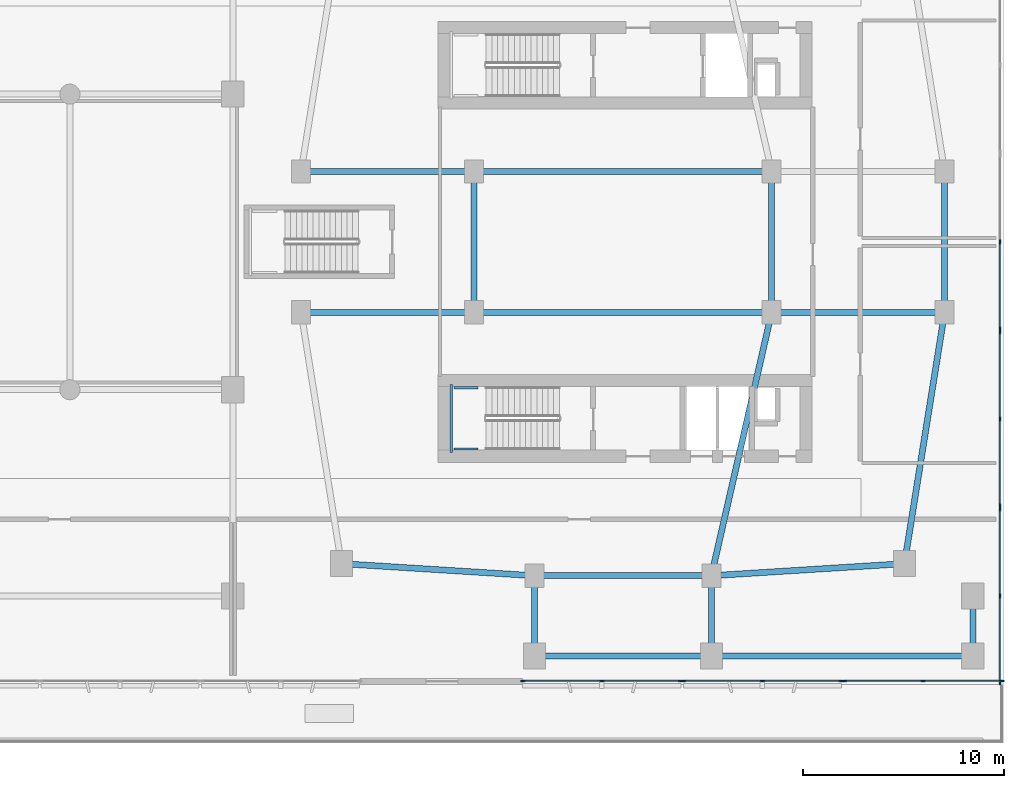
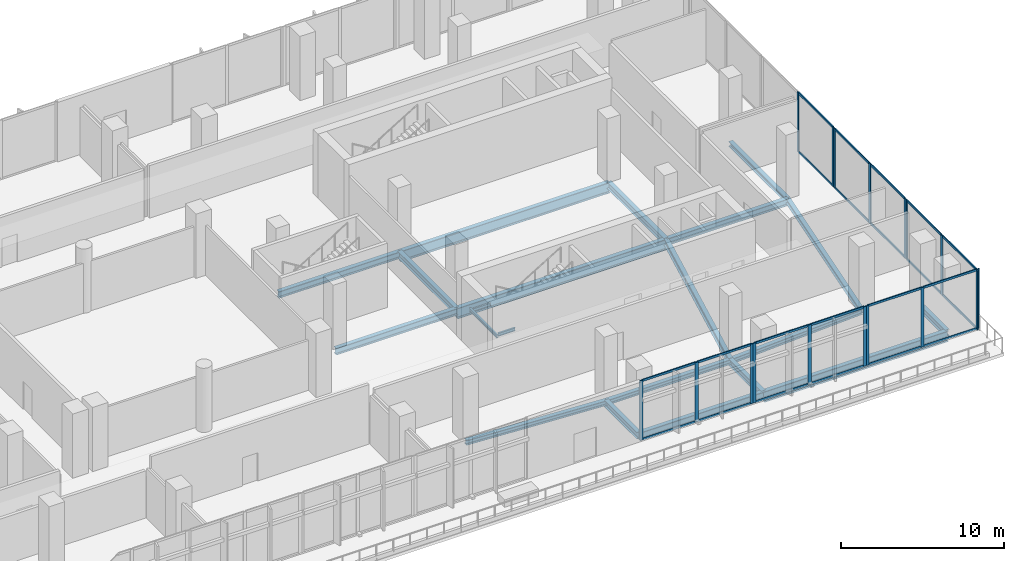
# One storey, part 7 of 30: 39 members, 21 beams, 6 elements without a shape of their own.
"""IFC4 building model written with IfcOpenShell, lengths in metres."""

from ifc_helpers import new_model, si_unit, derived_unit, direction, frame, origin, origin_2d, place, context, subcontext, project, spatial, rectangle, i_section, extrude, material, layer, layer_set, material_profile, profile_set, type_object, element, aggregate, save


model = new_model("IFC4")

# Units and contexts
model_context = context("Model", 3, precision=1e-05, world=origin(), true_north=direction((0.0, 1.0)))
body_context = subcontext(model_context, "Body", "Model", "MODEL_VIEW")
ifc_project = project(units=[si_unit("LENGTHUNIT", "METRE"), si_unit("AREAUNIT", "SQUARE_METRE"), si_unit("VOLUMEUNIT", "CUBIC_METRE"), si_unit("PLANEANGLEUNIT", "RADIAN"), si_unit("MASSUNIT", "GRAM", prefix="KILO"), derived_unit("THERMALTRANSMITTANCEUNIT", [(si_unit("POWERUNIT", "WATT"), 1), (si_unit("LENGTHUNIT", "METRE"), -2), (si_unit("THERMODYNAMICTEMPERATUREUNIT", "KELVIN"), -1)])], contexts=[model_context])

# Site, building, storey
site_placement = place(None, origin())
site = spatial("IfcSite", under=ifc_project, at=site_placement, CompositionType="ELEMENT")
building_placement = place(site_placement, origin())
building = spatial("IfcBuilding", under=site, at=building_placement, Name="Kivonza Crest Hotel", CompositionType="ELEMENT")
storey_placement = place(building_placement, frame((0.0, 0.0, 10.199951171875)))
storey = spatial("IfcBuildingStorey", under=building, at=storey_placement, Name="L02", CompositionType="ELEMENT", Elevation=10.199951171875)

# Beams
ifc_material_1 = material(Name="Steel S355", Category="steel")
ifc_material_profile_1 = material_profile(ifc_material_1, i_section(OverallWidth=0.300048828125, OverallDepth=0.360107421875, WebThickness=0.012451171875, FlangeThickness=0.0224609375, FilletRadius=0.027099609375, at=origin_2d()), Name="HEB 360")
ifc_profile_set_1 = profile_set([ifc_material_profile_1], Name="Steel S355")
beam_type_1 = type_object("IfcBeamType", Name="BM-HEB360", PredefinedType="SPANDREL", material=ifc_profile_set_1)
beam_1_placement = place(storey_placement, frame((72.60009765625, 8.39990234375, -0.530029296875), z_axis=(1.0, 0.0, 0.0), x_axis=(0.0, 1.0, 0.0)))
element("IfcBeam", 1, at=beam_1_placement, inside=storey, type_object=beam_type_1, Name="Companion Tower T2 L02 perimeter spandrel S1-S2", PredefinedType="SPANDREL", context=body_context, shape_type="SweptSolid", body=[
    extrude(i_section(OverallWidth=0.300048828125, OverallDepth=0.360107421875, WebThickness=0.012451171875, FlangeThickness=0.0224609375, FilletRadius=0.027099609375, at=origin_2d()), origin(), (0.0, 0.0, 1.0), 8.7998046875),
])
beam_2_placement = place(storey_placement, frame((81.39990234375, 8.39990234375, -0.530029296875), z_axis=(0.998051985873, 0.062387767186, 0.0), x_axis=(-0.062387767186, 0.998051985873, 0.0)))
element("IfcBeam", 2, at=beam_2_placement, inside=storey, type_object=beam_type_1, Name="Companion Tower T2 L02 perimeter spandrel S2-SE", PredefinedType="SPANDREL", context=body_context, shape_type="SweptSolid", body=[
    extrude(i_section(OverallWidth=0.300048828125, OverallDepth=0.360107421875, WebThickness=0.012451171875, FlangeThickness=0.0224609375, FilletRadius=0.027099609375, at=origin_2d()), origin(), (0.0, 0.0, 1.0), 9.618896484375),
])
beam_3_placement = place(storey_placement, frame((91.0, 9.0, -0.530029296875), z_axis=(0.157990501107, 0.987440631917, 0.0), x_axis=(-0.987440631917, 0.157990501107, 0.0)))
element("IfcBeam", 3, at=beam_3_placement, inside=storey, type_object=beam_type_1, Name="Companion Tower T2 L02 perimeter spandrel SE-E1", PredefinedType="SPANDREL", context=body_context, shape_type="SweptSolid", body=[
    extrude(i_section(OverallWidth=0.300048828125, OverallDepth=0.360107421875, WebThickness=0.012451171875, FlangeThickness=0.0224609375, FilletRadius=0.027099609375, at=origin_2d()), origin(), (0.0, 0.0, 1.0), 12.658935546875),
])
beam_4_placement = place(storey_placement, frame((93.0, 21.5, -0.530029296875), z_axis=(0.0, 1.0, 0.0), x_axis=(-1.0, 0.0, 0.0)))
element("IfcBeam", 4, at=beam_4_placement, inside=storey, type_object=beam_type_1, Name="Companion Tower T2 L02 perimeter spandrel E1-E2", PredefinedType="SPANDREL", context=body_context, shape_type="SweptSolid", body=[
    extrude(i_section(OverallWidth=0.300048828125, OverallDepth=0.360107421875, WebThickness=0.012451171875, FlangeThickness=0.0224609375, FilletRadius=0.027099609375, at=origin_2d()), origin(), (0.0, 0.0, 1.0), 7.0),
])
beam_5_placement = place(storey_placement, frame((63.0, 9.0, -0.530029296875), z_axis=(0.998051985873, -0.062387767186, 0.0), x_axis=(0.062387767186, 0.998051985873, 0.0)))
element("IfcBeam", 5, at=beam_5_placement, inside=storey, type_object=beam_type_1, Name="Companion Tower T2 L02 perimeter spandrel SW-S1", PredefinedType="SPANDREL", context=body_context, shape_type="SweptSolid", body=[
    extrude(i_section(OverallWidth=0.300048828125, OverallDepth=0.360107421875, WebThickness=0.012451171875, FlangeThickness=0.0224609375, FilletRadius=0.027099609375, at=origin_2d()), origin(), (0.0, 0.0, 1.0), 9.618896484375),
])
ifc_material_profile_2 = material_profile(ifc_material_1, i_section(OverallWidth=0.300048828125, OverallDepth=0.5, WebThickness=0.014404296875, FlangeThickness=0.028076171875, FilletRadius=0.027099609375, at=origin_2d()), Name="HEB 500")
ifc_profile_set_2 = profile_set([ifc_material_profile_2], Name="Steel S355")
beam_type_2 = type_object("IfcBeamType", Name="BM-HEB500", PredefinedType="BEAM", material=ifc_profile_set_2)
for number, where, z_axis, x_axis, name in (
    (6, (61.0, 21.5, -0.599853515625), (1.0, 0.0, 0.0), (0.0, 1.0, 0.0), "Companion Tower T2 L02 girder W1-WL1"),
    (7, (61.0, 28.5, -0.599853515625), (1.0, 0.0, 0.0), (0.0, 1.0, 0.0), "Companion Tower T2 L02 girder W2-WL2"),
):
    element("IfcBeam", number, at=place(storey_placement, frame(where, z_axis=z_axis, x_axis=x_axis)), inside=storey, type_object=beam_type_2, Name=name, PredefinedType="BEAM", context=body_context, shape_type="SweptSolid", body=[
        extrude(i_section(OverallWidth=0.300048828125, OverallDepth=0.5, WebThickness=0.014404296875, FlangeThickness=0.028076171875, FilletRadius=0.027099609375, at=origin_2d()), origin(), (0.0, 0.0, 1.0), 8.60009765625),
    ])
beam_6_placement = place(storey_placement, frame((69.60009765625, 21.5, -0.599853515625), z_axis=(0.0, 1.0, 0.0), x_axis=(-1.0, 0.0, 0.0)))
element("IfcBeam", 8, at=beam_6_placement, inside=storey, type_object=beam_type_2, Name="Companion Tower T2 L02 girder WL1-WL2", PredefinedType="BEAM", context=body_context, shape_type="SweptSolid", body=[
    extrude(i_section(OverallWidth=0.300048828125, OverallDepth=0.5, WebThickness=0.014404296875, FlangeThickness=0.028076171875, FilletRadius=0.027099609375, at=origin_2d()), origin(), (0.0, 0.0, 1.0), 7.0),
])
beam_7_placement = place(storey_placement, frame((84.39990234375, 21.5, -0.599853515625), z_axis=(1.0, 0.0, 0.0), x_axis=(0.0, 1.0, 0.0)))
element("IfcBeam", 9, at=beam_7_placement, inside=storey, type_object=beam_type_2, Name="Companion Tower T2 L02 girder WR1-E1", PredefinedType="BEAM", context=body_context, shape_type="SweptSolid", body=[
    extrude(i_section(OverallWidth=0.300048828125, OverallDepth=0.5, WebThickness=0.014404296875, FlangeThickness=0.028076171875, FilletRadius=0.027099609375, at=origin_2d()), origin(), (0.0, 0.0, 1.0), 8.60009765625),
])
beam_8_placement = place(storey_placement, frame((84.39990234375, 21.5, -0.599853515625), z_axis=(0.0, 1.0, 0.0), x_axis=(-1.0, 0.0, 0.0)))
element("IfcBeam", 10, at=beam_8_placement, inside=storey, type_object=beam_type_2, Name="Companion Tower T2 L02 girder WR1-WR2", PredefinedType="BEAM", context=body_context, shape_type="SweptSolid", body=[
    extrude(i_section(OverallWidth=0.300048828125, OverallDepth=0.5, WebThickness=0.014404296875, FlangeThickness=0.028076171875, FilletRadius=0.027099609375, at=origin_2d()), origin(), (0.0, 0.0, 1.0), 7.0),
])
beam_9_placement = place(storey_placement, frame((84.39990234375, 21.5, -0.599853515625), z_axis=(-0.223227287589, -0.974766422317, 0.0), x_axis=(0.974766422317, -0.223227287589, 0.0)))
element("IfcBeam", 11, at=beam_9_placement, inside=storey, type_object=beam_type_2, Name="Companion Tower T2 L02 girder WR1-S2", PredefinedType="BEAM", context=body_context, shape_type="SweptSolid", body=[
    extrude(i_section(OverallWidth=0.300048828125, OverallDepth=0.5, WebThickness=0.014404296875, FlangeThickness=0.028076171875, FilletRadius=0.027099609375, at=origin_2d()), origin(), (0.0, 0.0, 1.0), 13.439208984375),
])
for number, where, z_axis, x_axis, name in (
    (12, (72.60009765625, 4.39990234375, -0.599853515625), (0.0, 1.0, 0.0), (-1.0, 0.0, 0.0), "L02 podium girder Y 60"),
    (13, (81.39990234375, 4.39990234375, -0.599853515625), (0.0, 1.0, 0.0), (-1.0, 0.0, 0.0), "L02 podium girder Y 62"),
):
    element("IfcBeam", number, at=place(storey_placement, frame(where, z_axis=z_axis, x_axis=x_axis)), inside=storey, type_object=beam_type_2, Name=name, PredefinedType="BEAM", context=body_context, shape_type="SweptSolid", body=[
        extrude(i_section(OverallWidth=0.300048828125, OverallDepth=0.5, WebThickness=0.014404296875, FlangeThickness=0.028076171875, FilletRadius=0.027099609375, at=origin_2d()), origin(), (0.0, 0.0, 1.0), 4.0),
    ])
beam_10_placement = place(storey_placement, frame((94.39990234375, 4.39990234375, -0.599853515625), z_axis=(0.0, 1.0, 0.0), x_axis=(-1.0, 0.0, 0.0)))
element("IfcBeam", 14, at=beam_10_placement, inside=storey, type_object=beam_type_2, Name="L02 podium girder Y 66", PredefinedType="BEAM", context=body_context, shape_type="SweptSolid", body=[
    extrude(i_section(OverallWidth=0.300048828125, OverallDepth=0.5, WebThickness=0.014404296875, FlangeThickness=0.028076171875, FilletRadius=0.027099609375, at=origin_2d()), origin(), (0.0, 0.0, 1.0), 3.0),
])
ifc_material_profile_3 = material_profile(ifc_material_1, i_section(OverallWidth=0.300048828125, OverallDepth=0.60009765625, WebThickness=0.015380859375, FlangeThickness=0.030029296875, FilletRadius=0.027099609375, at=origin_2d()), Name="HEB 600")
ifc_profile_set_3 = profile_set([ifc_material_profile_3], Name="Steel S355")
beam_type_3 = type_object("IfcBeamType", Name="BM-HEB600", PredefinedType="BEAM", material=ifc_profile_set_3)
beam_11_placement = place(storey_placement, frame((72.60009765625, 4.39990234375, -0.64990234375), z_axis=(1.0, 0.0, 0.0), x_axis=(0.0, 1.0, 0.0)))
element("IfcBeam", 15, at=beam_11_placement, inside=storey, type_object=beam_type_3, Name="L02 podium girder X 3", PredefinedType="BEAM", context=body_context, shape_type="SweptSolid", body=[
    extrude(i_section(OverallWidth=0.300048828125, OverallDepth=0.60009765625, WebThickness=0.015380859375, FlangeThickness=0.030029296875, FilletRadius=0.027099609375, at=origin_2d()), origin(), (0.0, 0.0, 1.0), 8.7998046875),
])
ifc_material_profile_4 = material_profile(ifc_material_1, i_section(OverallWidth=0.300048828125, OverallDepth=0.800048828125, WebThickness=0.017578125, FlangeThickness=0.032958984375, FilletRadius=0.030029296875, at=origin_2d()), Name="HEB 800")
ifc_profile_set_4 = profile_set([ifc_material_profile_4], Name="Steel S355")
beam_type_4 = type_object("IfcBeamType", Name="BM-HEB800", PredefinedType="BEAM", material=ifc_profile_set_4)
beam_12_placement = place(storey_placement, frame((81.39990234375, 4.39990234375, -0.75), z_axis=(1.0, 0.0, 0.0), x_axis=(0.0, 1.0, 0.0)))
element("IfcBeam", 16, at=beam_12_placement, inside=storey, type_object=beam_type_4, Name="L02 podium girder X 4", PredefinedType="BEAM", context=body_context, shape_type="SweptSolid", body=[
    extrude(i_section(OverallWidth=0.300048828125, OverallDepth=0.800048828125, WebThickness=0.017578125, FlangeThickness=0.032958984375, FilletRadius=0.030029296875, at=origin_2d()), origin(), (0.0, 0.0, 1.0), 13.0),
])
for number, where, z_axis, x_axis, name in (
    (17, (69.60009765625, 21.5, -0.75), (1.0, 0.0, 0.0), (0.0, 1.0, 0.0), "L02 podium girder X 16"),
    (18, (69.60009765625, 28.5, -0.75), (1.0, 0.0, 0.0), (0.0, 1.0, 0.0), "L02 podium girder X 21"),
):
    element("IfcBeam", number, at=place(storey_placement, frame(where, z_axis=z_axis, x_axis=x_axis)), inside=storey, type_object=beam_type_4, Name=name, PredefinedType="BEAM", context=body_context, shape_type="SweptSolid", body=[
        extrude(i_section(OverallWidth=0.300048828125, OverallDepth=0.800048828125, WebThickness=0.017578125, FlangeThickness=0.032958984375, FilletRadius=0.030029296875, at=origin_2d()), origin(), (0.0, 0.0, 1.0), 14.7998046875),
    ])
ifc_material_profile_5 = material_profile(ifc_material_1, i_section(OverallWidth=0.1201171875, OverallDepth=0.239990234375, WebThickness=0.006103515625, FlangeThickness=0.009765625, FilletRadius=0.014892578125, at=origin_2d()), Name="IPE 240")
ifc_profile_set_5 = profile_set([ifc_material_profile_5], Name="Steel S355")
beam_type_5 = type_object("IfcBeamType", Name="BM-LLDG-240", PredefinedType="BEAM", material=ifc_profile_set_5)
beam_13_placement = place(storey_placement, frame((68.4599609375, 14.5400390625, 2.080078125), z_axis=(0.0, 1.0, 0.0), x_axis=(-1.0, 0.0, 0.0)))
element("IfcBeam", 19, at=beam_13_placement, inside=storey, type_object=beam_type_5, Name="Stair ST-T2-S L02 West landing corbel", PredefinedType="BEAM", context=body_context, shape_type="SweptSolid", body=[
    extrude(i_section(OverallWidth=0.1201171875, OverallDepth=0.239990234375, WebThickness=0.006103515625, FlangeThickness=0.009765625, FilletRadius=0.014892578125, at=origin_2d()), origin(), (0.0, 0.0, 1.0), 3.35986328125),
])
for number, where, z_axis, x_axis, name in (
    (20, (68.590087890625, 14.699951171875, 2.080078125), (1.0, 0.0, 0.0), (0.0, 1.0, 0.0), "Stair ST-T2-S L02 South landing corbel"),
    (21, (68.590087890625, 17.739990234375, 2.080078125), (1.0, 0.0, 0.0), (0.0, 1.0, 0.0), "Stair ST-T2-S L02 North landing corbel"),
):
    element("IfcBeam", number, at=place(storey_placement, frame(where, z_axis=z_axis, x_axis=x_axis)), inside=storey, type_object=beam_type_5, Name=name, PredefinedType="BEAM", context=body_context, shape_type="SweptSolid", body=[
        extrude(i_section(OverallWidth=0.1201171875, OverallDepth=0.239990234375, WebThickness=0.006103515625, FlangeThickness=0.009765625, FilletRadius=0.014892578125, at=origin_2d()), origin(), (0.0, 0.0, 1.0), 1.2099609375),
    ])

# Curtain wall, members
ifc_material_2 = material(Name="Anodised bronze aluminium and low-E double glazing", Category="aluminium")
ifc_layer = layer(ifc_material_2, 0.219970703125)
ifc_layer_set = layer_set([ifc_layer], Name="Anodised bronze aluminium and low-E double glazing")
curtain_wall_type = type_object("IfcCurtainWallType", Name="CW-SYS-1", PredefinedType="NOTDEFINED", material=ifc_layer_set)
curtain_wall_1_placement = place(storey_placement, origin())
curtain_wall_1 = element("IfcCurtainWall", 22, at=curtain_wall_1_placement, inside=storey, type_object=curtain_wall_type, Name="L02 unitised curtain wall CW-POD-L02-10", PredefinedType="NOTDEFINED")
ifc_material_3 = material(Name="Anodised bronze aluminium", Category="aluminium")
ifc_material_profile_6 = material_profile(ifc_material_3, rectangle(XDim=0.074951171875, YDim=0.219970703125, at=origin_2d()), Name="CW-M 75x220")
ifc_profile_set_6 = profile_set([ifc_material_profile_6], Name="Anodised bronze aluminium")
member_type_1 = type_object("IfcMemberType", Name="CW-MUL-75x220", PredefinedType="MULLION", material=ifc_profile_set_6)
member_1_placement = place(storey_placement, frame((72.03759765625, 3.159912109375, 0.0), z_axis=(0.0, 0.0, 1.0), x_axis=(0.0, 1.0, 0.0)))
member_1 = element("IfcMember", 23, at=member_1_placement, type_object=member_type_1, Name="CW-1 mullion 1", PredefinedType="MULLION", context=body_context, shape_type="SweptSolid", body=[
    extrude(rectangle(XDim=0.074951171875, YDim=0.219970703125, at=origin_2d()), origin(), (0.0, 0.0, 1.0), 4.449951171875),
])
member_2_placement = place(storey_placement, frame((75.95361328125, 3.159912109375, 0.0), z_axis=(0.0, 0.0, 1.0), x_axis=(0.0, 1.0, 0.0)))
member_2 = element("IfcMember", 24, at=member_2_placement, type_object=member_type_1, Name="CW-1 mullion 2", PredefinedType="MULLION", context=body_context, shape_type="SweptSolid", body=[
    extrude(rectangle(XDim=0.074951171875, YDim=0.219970703125, at=origin_2d()), origin(), (0.0, 0.0, 1.0), 4.449951171875),
])
member_3_placement = place(storey_placement, frame((79.869384765625, 3.159912109375, 0.0), z_axis=(0.0, 0.0, 1.0), x_axis=(0.0, 1.0, 0.0)))
member_3 = element("IfcMember", 25, at=member_3_placement, type_object=member_type_1, Name="CW-1 mullion 3", PredefinedType="MULLION", context=body_context, shape_type="SweptSolid", body=[
    extrude(rectangle(XDim=0.074951171875, YDim=0.219970703125, at=origin_2d()), origin(), (0.0, 0.0, 1.0), 4.449951171875),
])

curtain_wall_2_placement = place(storey_placement, origin())
curtain_wall_2 = element("IfcCurtainWall", 26, at=curtain_wall_2_placement, inside=storey, type_object=curtain_wall_type, Name="L02 unitised curtain wall CW-POD-L02-11", PredefinedType="NOTDEFINED")
member_4_placement = place(storey_placement, frame((80.0244140625, 3.159912109375, 0.0), z_axis=(0.0, 0.0, 1.0), x_axis=(0.0, 1.0, 0.0)))
member_4 = element("IfcMember", 27, at=member_4_placement, type_object=member_type_1, Name="CW-1 mullion 1", PredefinedType="MULLION", context=body_context, shape_type="SweptSolid", body=[
    extrude(rectangle(XDim=0.074951171875, YDim=0.219970703125, at=origin_2d()), origin(), (0.0, 0.0, 1.0), 4.449951171875),
])
member_5_placement = place(storey_placement, frame((83.93994140625, 3.159912109375, 0.0), z_axis=(0.0, 0.0, 1.0), x_axis=(0.0, 1.0, 0.0)))
member_5 = element("IfcMember", 28, at=member_5_placement, type_object=member_type_1, Name="CW-1 mullion 2", PredefinedType="MULLION", context=body_context, shape_type="SweptSolid", body=[
    extrude(rectangle(XDim=0.074951171875, YDim=0.219970703125, at=origin_2d()), origin(), (0.0, 0.0, 1.0), 4.449951171875),
])
member_6_placement = place(storey_placement, frame((87.85546875, 3.159912109375, 0.0), z_axis=(0.0, 0.0, 1.0), x_axis=(0.0, 1.0, 0.0)))
member_6 = element("IfcMember", 29, at=member_6_placement, type_object=member_type_1, Name="CW-1 mullion 3", PredefinedType="MULLION", context=body_context, shape_type="SweptSolid", body=[
    extrude(rectangle(XDim=0.074951171875, YDim=0.219970703125, at=origin_2d()), origin(), (0.0, 0.0, 1.0), 4.449951171875),
])

curtain_wall_3_placement = place(storey_placement, origin())
curtain_wall_3 = element("IfcCurtainWall", 30, at=curtain_wall_3_placement, inside=storey, type_object=curtain_wall_type, Name="L02 unitised curtain wall CW-POD-L02-12", PredefinedType="NOTDEFINED")
member_7_placement = place(storey_placement, frame((88.010498046875, 3.159912109375, 0.0), z_axis=(0.0, 0.0, 1.0), x_axis=(0.0, 1.0, 0.0)))
member_7 = element("IfcMember", 31, at=member_7_placement, type_object=member_type_1, Name="CW-1 mullion 1", PredefinedType="MULLION", context=body_context, shape_type="SweptSolid", body=[
    extrude(rectangle(XDim=0.074951171875, YDim=0.219970703125, at=origin_2d()), origin(), (0.0, 0.0, 1.0), 4.449951171875),
])
member_8_placement = place(storey_placement, frame((91.926513671875, 3.159912109375, 0.0), z_axis=(0.0, 0.0, 1.0), x_axis=(0.0, 1.0, 0.0)))
member_8 = element("IfcMember", 32, at=member_8_placement, type_object=member_type_1, Name="CW-1 mullion 2", PredefinedType="MULLION", context=body_context, shape_type="SweptSolid", body=[
    extrude(rectangle(XDim=0.074951171875, YDim=0.219970703125, at=origin_2d()), origin(), (0.0, 0.0, 1.0), 4.449951171875),
])
member_9_placement = place(storey_placement, frame((95.842529296875, 3.159912109375, 0.0), z_axis=(0.0, 0.0, 1.0), x_axis=(0.0, 1.0, 0.0)))
member_9 = element("IfcMember", 33, at=member_9_placement, type_object=member_type_1, Name="CW-1 mullion 3", PredefinedType="MULLION", context=body_context, shape_type="SweptSolid", body=[
    extrude(rectangle(XDim=0.074951171875, YDim=0.219970703125, at=origin_2d()), origin(), (0.0, 0.0, 1.0), 4.449951171875),
])

curtain_wall_4_placement = place(storey_placement, origin())
curtain_wall_4 = element("IfcCurtainWall", 34, at=curtain_wall_4_placement, inside=storey, type_object=curtain_wall_type, Name="L02 unitised curtain wall CW-POD-L02-13", PredefinedType="NOTDEFINED")
member_10_placement = place(storey_placement, frame((95.760009765625, 3.077392578125, 0.0), z_axis=(0.0, 0.0, 1.0), x_axis=(-1.0, 0.0, 0.0)))
member_10 = element("IfcMember", 35, at=member_10_placement, type_object=member_type_1, Name="CW-1 mullion 1", PredefinedType="MULLION", context=body_context, shape_type="SweptSolid", body=[
    extrude(rectangle(XDim=0.074951171875, YDim=0.219970703125, at=origin_2d()), origin(), (0.0, 0.0, 1.0), 4.449951171875),
])
member_11_placement = place(storey_placement, frame((95.760009765625, 7.39990234375, 0.0), z_axis=(0.0, 0.0, 1.0), x_axis=(-1.0, 0.0, 0.0)))
member_11 = element("IfcMember", 36, at=member_11_placement, type_object=member_type_1, Name="CW-1 mullion 2", PredefinedType="MULLION", context=body_context, shape_type="SweptSolid", body=[
    extrude(rectangle(XDim=0.074951171875, YDim=0.219970703125, at=origin_2d()), origin(), (0.0, 0.0, 1.0), 4.449951171875),
])
member_12_placement = place(storey_placement, frame((95.760009765625, 11.722412109375, 0.0), z_axis=(0.0, 0.0, 1.0), x_axis=(-1.0, 0.0, 0.0)))
member_12 = element("IfcMember", 37, at=member_12_placement, type_object=member_type_1, Name="CW-1 mullion 3", PredefinedType="MULLION", context=body_context, shape_type="SweptSolid", body=[
    extrude(rectangle(XDim=0.074951171875, YDim=0.219970703125, at=origin_2d()), origin(), (0.0, 0.0, 1.0), 4.449951171875),
])

curtain_wall_5_placement = place(storey_placement, origin())
curtain_wall_5 = element("IfcCurtainWall", 38, at=curtain_wall_5_placement, inside=storey, type_object=curtain_wall_type, Name="L02 unitised curtain wall CW-POD-L02-14", PredefinedType="NOTDEFINED")
member_13_placement = place(storey_placement, frame((95.760009765625, 11.87744140625, 0.0), z_axis=(0.0, 0.0, 1.0), x_axis=(-1.0, 0.0, 0.0)))
member_13 = element("IfcMember", 39, at=member_13_placement, type_object=member_type_1, Name="CW-1 mullion 1", PredefinedType="MULLION", context=body_context, shape_type="SweptSolid", body=[
    extrude(rectangle(XDim=0.074951171875, YDim=0.219970703125, at=origin_2d()), origin(), (0.0, 0.0, 1.0), 4.449951171875),
])
member_14_placement = place(storey_placement, frame((95.760009765625, 16.199951171875, 0.0), z_axis=(0.0, 0.0, 1.0), x_axis=(-1.0, 0.0, 0.0)))
member_14 = element("IfcMember", 40, at=member_14_placement, type_object=member_type_1, Name="CW-1 mullion 2", PredefinedType="MULLION", context=body_context, shape_type="SweptSolid", body=[
    extrude(rectangle(XDim=0.074951171875, YDim=0.219970703125, at=origin_2d()), origin(), (0.0, 0.0, 1.0), 4.449951171875),
])
member_15_placement = place(storey_placement, frame((95.760009765625, 20.5224609375, 0.0), z_axis=(0.0, 0.0, 1.0), x_axis=(-1.0, 0.0, 0.0)))
member_15 = element("IfcMember", 41, at=member_15_placement, type_object=member_type_1, Name="CW-1 mullion 3", PredefinedType="MULLION", context=body_context, shape_type="SweptSolid", body=[
    extrude(rectangle(XDim=0.074951171875, YDim=0.219970703125, at=origin_2d()), origin(), (0.0, 0.0, 1.0), 4.449951171875),
])

curtain_wall_6_placement = place(storey_placement, origin())
curtain_wall_6 = element("IfcCurtainWall", 42, at=curtain_wall_6_placement, inside=storey, type_object=curtain_wall_type, Name="L02 unitised curtain wall CW-POD-L02-15", PredefinedType="NOTDEFINED")
member_16_placement = place(storey_placement, frame((95.760009765625, 20.677490234375, 0.0), z_axis=(0.0, 0.0, 1.0), x_axis=(-1.0, 0.0, 0.0)))
member_16 = element("IfcMember", 43, at=member_16_placement, type_object=member_type_1, Name="CW-1 mullion 1", PredefinedType="MULLION", context=body_context, shape_type="SweptSolid", body=[
    extrude(rectangle(XDim=0.074951171875, YDim=0.219970703125, at=origin_2d()), origin(), (0.0, 0.0, 1.0), 4.449951171875),
])
member_17_placement = place(storey_placement, frame((95.760009765625, 25.0, 0.0), z_axis=(0.0, 0.0, 1.0), x_axis=(-1.0, 0.0, 0.0)))
member_17 = element("IfcMember", 44, at=member_17_placement, type_object=member_type_1, Name="CW-1 mullion 2", PredefinedType="MULLION", context=body_context, shape_type="SweptSolid", body=[
    extrude(rectangle(XDim=0.074951171875, YDim=0.219970703125, at=origin_2d()), origin(), (0.0, 0.0, 1.0), 4.449951171875),
])

# Member
ifc_material_profile_7 = material_profile(ifc_material_3, rectangle(XDim=0.074951171875, YDim=0.159912109375, at=origin_2d()), Name="CW-T 75x160")
ifc_profile_set_7 = profile_set([ifc_material_profile_7], Name="Anodised bronze aluminium")
member_type_2 = type_object("IfcMemberType", Name="CW-TRN-75x160", PredefinedType="USERDEFINED", material=ifc_profile_set_7)
member_18_placement = place(storey_placement, frame((72.074951171875, 3.159912109375, 0.03759765625), z_axis=(1.0, 0.0, 0.0), x_axis=(0.0, 1.0, 0.0)))
member_18 = element("IfcMember", 45, at=member_18_placement, type_object=member_type_2, Name="CW-1 transom 1.1", ObjectType="TRANSOM", PredefinedType="USERDEFINED", context=body_context, shape_type="SweptSolid", body=[
    extrude(rectangle(XDim=0.074951171875, YDim=0.159912109375, at=origin_2d()), origin(), (0.0, 0.0, 1.0), 3.841064453125),
])

member_19_placement = place(storey_placement, frame((72.074951171875, 3.159912109375, 4.41259765625), z_axis=(1.0, 0.0, 0.0), x_axis=(0.0, 1.0, 0.0)))
member_19 = element("IfcMember", 46, at=member_19_placement, type_object=member_type_2, Name="CW-1 transom 1.2", ObjectType="TRANSOM", PredefinedType="USERDEFINED", context=body_context, shape_type="SweptSolid", body=[
    extrude(rectangle(XDim=0.074951171875, YDim=0.159912109375, at=origin_2d()), origin(), (0.0, 0.0, 1.0), 3.841064453125),
])

member_20_placement = place(storey_placement, frame((75.990966796875, 3.159912109375, 0.03759765625), z_axis=(1.0, 0.0, 0.0), x_axis=(0.0, 1.0, 0.0)))
member_20 = element("IfcMember", 47, at=member_20_placement, type_object=member_type_2, Name="CW-1 transom 2.1", ObjectType="TRANSOM", PredefinedType="USERDEFINED", context=body_context, shape_type="SweptSolid", body=[
    extrude(rectangle(XDim=0.074951171875, YDim=0.159912109375, at=origin_2d()), origin(), (0.0, 0.0, 1.0), 3.841064453125),
])

member_21_placement = place(storey_placement, frame((75.990966796875, 3.159912109375, 4.41259765625), z_axis=(1.0, 0.0, 0.0), x_axis=(0.0, 1.0, 0.0)))
member_21 = element("IfcMember", 48, at=member_21_placement, type_object=member_type_2, Name="CW-1 transom 2.2", ObjectType="TRANSOM", PredefinedType="USERDEFINED", context=body_context, shape_type="SweptSolid", body=[
    extrude(rectangle(XDim=0.074951171875, YDim=0.159912109375, at=origin_2d()), origin(), (0.0, 0.0, 1.0), 3.841064453125),
])

aggregate(curtain_wall_1, [member_1, member_2, member_3, member_18, member_19, member_20, member_21])

member_22_placement = place(storey_placement, frame((80.06201171875, 3.159912109375, 0.03759765625), z_axis=(1.0, 0.0, 0.0), x_axis=(0.0, 1.0, 0.0)))
member_22 = element("IfcMember", 49, at=member_22_placement, type_object=member_type_2, Name="CW-1 transom 1.1", ObjectType="TRANSOM", PredefinedType="USERDEFINED", context=body_context, shape_type="SweptSolid", body=[
    extrude(rectangle(XDim=0.074951171875, YDim=0.159912109375, at=origin_2d()), origin(), (0.0, 0.0, 1.0), 3.840576171875),
])

member_23_placement = place(storey_placement, frame((80.06201171875, 3.159912109375, 4.41259765625), z_axis=(1.0, 0.0, 0.0), x_axis=(0.0, 1.0, 0.0)))
member_23 = element("IfcMember", 50, at=member_23_placement, type_object=member_type_2, Name="CW-1 transom 1.2", ObjectType="TRANSOM", PredefinedType="USERDEFINED", context=body_context, shape_type="SweptSolid", body=[
    extrude(rectangle(XDim=0.074951171875, YDim=0.159912109375, at=origin_2d()), origin(), (0.0, 0.0, 1.0), 3.840576171875),
])

member_24_placement = place(storey_placement, frame((83.9775390625, 3.159912109375, 0.03759765625), z_axis=(1.0, 0.0, 0.0), x_axis=(0.0, 1.0, 0.0)))
member_24 = element("IfcMember", 51, at=member_24_placement, type_object=member_type_2, Name="CW-1 transom 2.1", ObjectType="TRANSOM", PredefinedType="USERDEFINED", context=body_context, shape_type="SweptSolid", body=[
    extrude(rectangle(XDim=0.074951171875, YDim=0.159912109375, at=origin_2d()), origin(), (0.0, 0.0, 1.0), 3.840576171875),
])

member_25_placement = place(storey_placement, frame((83.9775390625, 3.159912109375, 4.41259765625), z_axis=(1.0, 0.0, 0.0), x_axis=(0.0, 1.0, 0.0)))
member_25 = element("IfcMember", 52, at=member_25_placement, type_object=member_type_2, Name="CW-1 transom 2.2", ObjectType="TRANSOM", PredefinedType="USERDEFINED", context=body_context, shape_type="SweptSolid", body=[
    extrude(rectangle(XDim=0.074951171875, YDim=0.159912109375, at=origin_2d()), origin(), (0.0, 0.0, 1.0), 3.840576171875),
])

aggregate(curtain_wall_2, [member_4, member_5, member_6, member_22, member_23, member_24, member_25])

member_26_placement = place(storey_placement, frame((88.048095703125, 3.159912109375, 0.03759765625), z_axis=(1.0, 0.0, 0.0), x_axis=(0.0, 1.0, 0.0)))
member_26 = element("IfcMember", 53, at=member_26_placement, type_object=member_type_2, Name="CW-1 transom 1.1", ObjectType="TRANSOM", PredefinedType="USERDEFINED", context=body_context, shape_type="SweptSolid", body=[
    extrude(rectangle(XDim=0.074951171875, YDim=0.159912109375, at=origin_2d()), origin(), (0.0, 0.0, 1.0), 3.8408203125),
])

member_27_placement = place(storey_placement, frame((88.048095703125, 3.159912109375, 4.41259765625), z_axis=(1.0, 0.0, 0.0), x_axis=(0.0, 1.0, 0.0)))
member_27 = element("IfcMember", 54, at=member_27_placement, type_object=member_type_2, Name="CW-1 transom 1.2", ObjectType="TRANSOM", PredefinedType="USERDEFINED", context=body_context, shape_type="SweptSolid", body=[
    extrude(rectangle(XDim=0.074951171875, YDim=0.159912109375, at=origin_2d()), origin(), (0.0, 0.0, 1.0), 3.8408203125),
])

member_28_placement = place(storey_placement, frame((91.964111328125, 3.159912109375, 0.03759765625), z_axis=(1.0, 0.0, 0.0), x_axis=(0.0, 1.0, 0.0)))
member_28 = element("IfcMember", 55, at=member_28_placement, type_object=member_type_2, Name="CW-1 transom 2.1", ObjectType="TRANSOM", PredefinedType="USERDEFINED", context=body_context, shape_type="SweptSolid", body=[
    extrude(rectangle(XDim=0.074951171875, YDim=0.159912109375, at=origin_2d()), origin(), (0.0, 0.0, 1.0), 3.8408203125),
])

member_29_placement = place(storey_placement, frame((91.964111328125, 3.159912109375, 4.41259765625), z_axis=(1.0, 0.0, 0.0), x_axis=(0.0, 1.0, 0.0)))
member_29 = element("IfcMember", 56, at=member_29_placement, type_object=member_type_2, Name="CW-1 transom 2.2", ObjectType="TRANSOM", PredefinedType="USERDEFINED", context=body_context, shape_type="SweptSolid", body=[
    extrude(rectangle(XDim=0.074951171875, YDim=0.159912109375, at=origin_2d()), origin(), (0.0, 0.0, 1.0), 3.8408203125),
])

aggregate(curtain_wall_3, [member_7, member_8, member_9, member_26, member_27, member_28, member_29])

member_30_placement = place(storey_placement, frame((95.760009765625, 3.114990234375, 0.03759765625), z_axis=(0.0, 1.0, 0.0), x_axis=(-1.0, 0.0, 0.0)))
member_30 = element("IfcMember", 57, at=member_30_placement, type_object=member_type_2, Name="CW-1 transom 1.1", ObjectType="TRANSOM", PredefinedType="USERDEFINED", context=body_context, shape_type="SweptSolid", body=[
    extrude(rectangle(XDim=0.074951171875, YDim=0.159912109375, at=origin_2d()), origin(), (0.0, 0.0, 1.0), 4.24755859375),
])

member_31_placement = place(storey_placement, frame((95.760009765625, 3.114990234375, 4.41259765625), z_axis=(0.0, 1.0, 0.0), x_axis=(-1.0, 0.0, 0.0)))
member_31 = element("IfcMember", 58, at=member_31_placement, type_object=member_type_2, Name="CW-1 transom 1.2", ObjectType="TRANSOM", PredefinedType="USERDEFINED", context=body_context, shape_type="SweptSolid", body=[
    extrude(rectangle(XDim=0.074951171875, YDim=0.159912109375, at=origin_2d()), origin(), (0.0, 0.0, 1.0), 4.24755859375),
])

member_32_placement = place(storey_placement, frame((95.760009765625, 7.4375, 0.03759765625), z_axis=(0.0, 1.0, 0.0), x_axis=(-1.0, 0.0, 0.0)))
member_32 = element("IfcMember", 59, at=member_32_placement, type_object=member_type_2, Name="CW-1 transom 2.1", ObjectType="TRANSOM", PredefinedType="USERDEFINED", context=body_context, shape_type="SweptSolid", body=[
    extrude(rectangle(XDim=0.074951171875, YDim=0.159912109375, at=origin_2d()), origin(), (0.0, 0.0, 1.0), 4.24755859375),
])

member_33_placement = place(storey_placement, frame((95.760009765625, 7.4375, 4.41259765625), z_axis=(0.0, 1.0, 0.0), x_axis=(-1.0, 0.0, 0.0)))
member_33 = element("IfcMember", 60, at=member_33_placement, type_object=member_type_2, Name="CW-1 transom 2.2", ObjectType="TRANSOM", PredefinedType="USERDEFINED", context=body_context, shape_type="SweptSolid", body=[
    extrude(rectangle(XDim=0.074951171875, YDim=0.159912109375, at=origin_2d()), origin(), (0.0, 0.0, 1.0), 4.24755859375),
])

aggregate(curtain_wall_4, [member_10, member_11, member_12, member_30, member_31, member_32, member_33])

member_34_placement = place(storey_placement, frame((95.760009765625, 11.9150390625, 0.03759765625), z_axis=(0.0, 1.0, 0.0), x_axis=(-1.0, 0.0, 0.0)))
member_34 = element("IfcMember", 61, at=member_34_placement, type_object=member_type_2, Name="CW-1 transom 1.1", ObjectType="TRANSOM", PredefinedType="USERDEFINED", context=body_context, shape_type="SweptSolid", body=[
    extrude(rectangle(XDim=0.074951171875, YDim=0.159912109375, at=origin_2d()), origin(), (0.0, 0.0, 1.0), 4.24755859375),
])

member_35_placement = place(storey_placement, frame((95.760009765625, 11.9150390625, 4.41259765625), z_axis=(0.0, 1.0, 0.0), x_axis=(-1.0, 0.0, 0.0)))
member_35 = element("IfcMember", 62, at=member_35_placement, type_object=member_type_2, Name="CW-1 transom 1.2", ObjectType="TRANSOM", PredefinedType="USERDEFINED", context=body_context, shape_type="SweptSolid", body=[
    extrude(rectangle(XDim=0.074951171875, YDim=0.159912109375, at=origin_2d()), origin(), (0.0, 0.0, 1.0), 4.24755859375),
])

member_36_placement = place(storey_placement, frame((95.760009765625, 16.237548828125, 0.03759765625), z_axis=(0.0, 1.0, 0.0), x_axis=(-1.0, 0.0, 0.0)))
member_36 = element("IfcMember", 63, at=member_36_placement, type_object=member_type_2, Name="CW-1 transom 2.1", ObjectType="TRANSOM", PredefinedType="USERDEFINED", context=body_context, shape_type="SweptSolid", body=[
    extrude(rectangle(XDim=0.074951171875, YDim=0.159912109375, at=origin_2d()), origin(), (0.0, 0.0, 1.0), 4.24755859375),
])

member_37_placement = place(storey_placement, frame((95.760009765625, 16.237548828125, 4.41259765625), z_axis=(0.0, 1.0, 0.0), x_axis=(-1.0, 0.0, 0.0)))
member_37 = element("IfcMember", 64, at=member_37_placement, type_object=member_type_2, Name="CW-1 transom 2.2", ObjectType="TRANSOM", PredefinedType="USERDEFINED", context=body_context, shape_type="SweptSolid", body=[
    extrude(rectangle(XDim=0.074951171875, YDim=0.159912109375, at=origin_2d()), origin(), (0.0, 0.0, 1.0), 4.24755859375),
])

aggregate(curtain_wall_5, [member_13, member_14, member_15, member_34, member_35, member_36, member_37])

member_38_placement = place(storey_placement, frame((95.760009765625, 20.715087890625, 0.03759765625), z_axis=(0.0, 1.0, 0.0), x_axis=(-1.0, 0.0, 0.0)))
member_38 = element("IfcMember", 65, at=member_38_placement, type_object=member_type_2, Name="CW-1 transom 1.1", ObjectType="TRANSOM", PredefinedType="USERDEFINED", context=body_context, shape_type="SweptSolid", body=[
    extrude(rectangle(XDim=0.074951171875, YDim=0.159912109375, at=origin_2d()), origin(), (0.0, 0.0, 1.0), 4.247314453125),
])

member_39_placement = place(storey_placement, frame((95.760009765625, 20.715087890625, 4.41259765625), z_axis=(0.0, 1.0, 0.0), x_axis=(-1.0, 0.0, 0.0)))
member_39 = element("IfcMember", 66, at=member_39_placement, type_object=member_type_2, Name="CW-1 transom 1.2", ObjectType="TRANSOM", PredefinedType="USERDEFINED", context=body_context, shape_type="SweptSolid", body=[
    extrude(rectangle(XDim=0.074951171875, YDim=0.159912109375, at=origin_2d()), origin(), (0.0, 0.0, 1.0), 4.247314453125),
])

aggregate(curtain_wall_6, [member_16, member_17, member_38, member_39])

save(model, "model.ifc")
